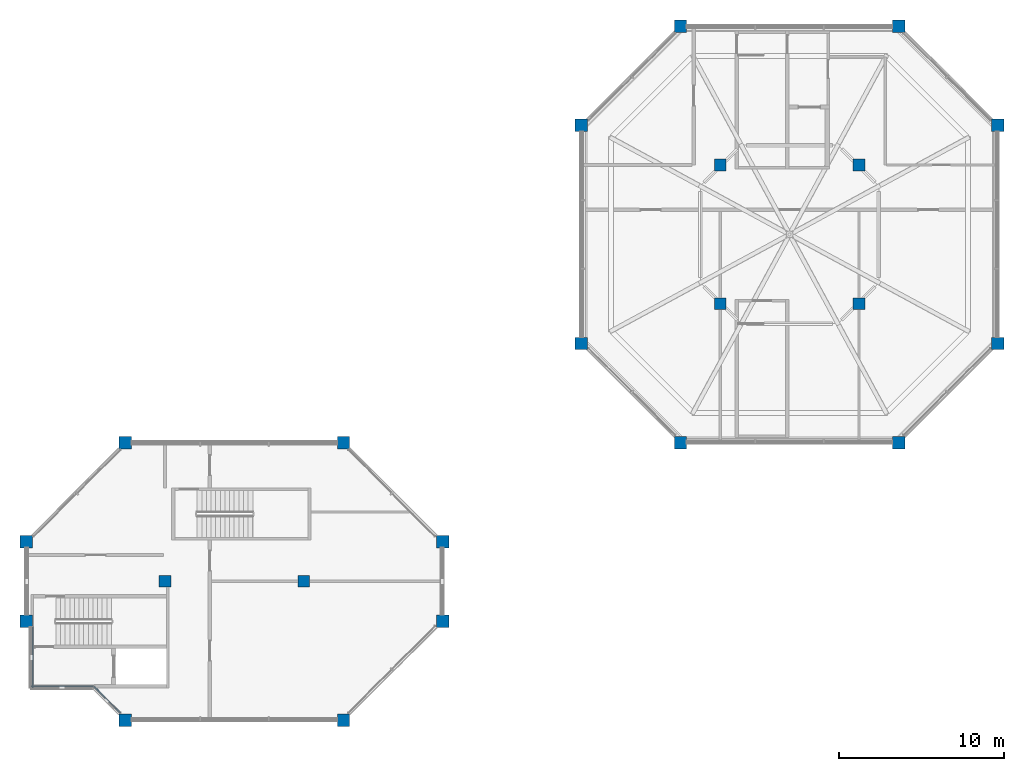
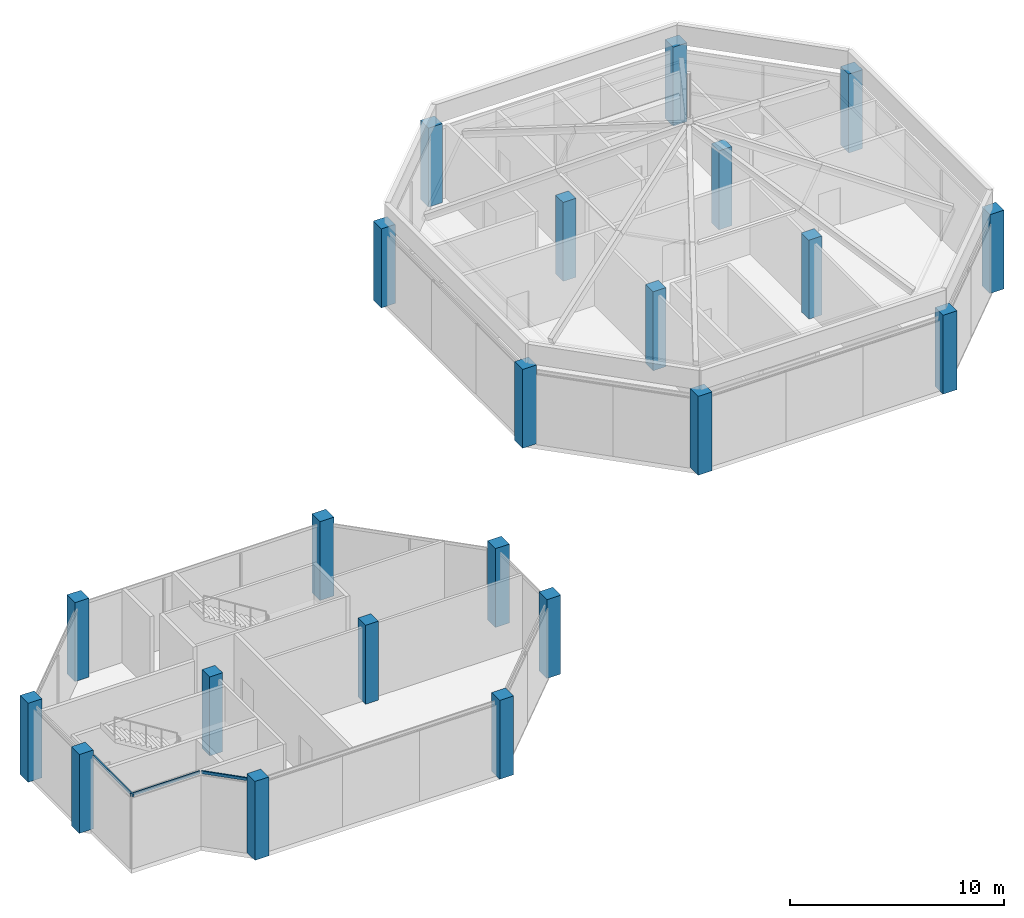
# One storey, part 1 of 9: 22 columns, 3 members, 3 elements without a shape of their own.
"""IFC4 building model written with IfcOpenShell, lengths in metres."""

from ifc_helpers import new_model, si_unit, direction, frame, origin, origin_2d, place, context, subcontext, project, spatial, rectangle, extrude, material, layer, layer_set, material_profile, profile_set, type_object, element, aggregate, save


model = new_model("IFC4")

# Units and contexts
model_context = context("Model", 3, precision=1e-05, world=origin(), true_north=direction((0.0, 1.0)))
body_context = subcontext(model_context, "Body", "Model", "MODEL_VIEW")
ifc_project = project(units=[si_unit("LENGTHUNIT", "METRE"), si_unit("AREAUNIT", "SQUARE_METRE"), si_unit("VOLUMEUNIT", "CUBIC_METRE"), si_unit("PLANEANGLEUNIT", "RADIAN"), si_unit("MASSUNIT", "GRAM", prefix="KILO")], contexts=[model_context])

# Site, building, storey
site_placement = place(None, origin())
site = spatial("IfcSite", under=ifc_project, at=site_placement, CompositionType="ELEMENT")
building_placement = place(site_placement, origin())
building = spatial("IfcBuilding", under=site, at=building_placement, Name="Kawkab Arch Medical Tower", CompositionType="ELEMENT")
storey_placement = place(building_placement, frame((0.0, 0.0, 350.199951171875)))
storey = spatial("IfcBuildingStorey", under=building, at=storey_placement, Name="L81", CompositionType="ELEMENT", Elevation=350.199951171875)

# Columns
ifc_material_1 = material(Name="Concrete C40/50", Category="concrete")
ifc_material_profile_1 = material_profile(ifc_material_1, rectangle(XDim=0.699951171875, YDim=0.699951171875, at=origin_2d()), Name="RC 700x700")
ifc_profile_set_1 = profile_set([ifc_material_profile_1], Name="Concrete C40/50")
column_type_1 = type_object("IfcColumnType", Name="RC 700x700 column C40/50", PredefinedType="COLUMN", material=ifc_profile_set_1)
for number, where, z_axis, x_axis, name in (
    (1, (42.0, -8.39990234375, 0.0), (0.0, 0.0, 1.0), (1.0, 0.0, 0.0), "Column RC 700x700"),
    (2, (50.39990234375, -8.39990234375, 0.0), (0.0, 0.0, 1.0), (1.0, 0.0, 0.0), "Column RC 700x700"),
    (3, (42.0, -16.800048828125, 0.0), (0.0, 0.0, 1.0), (1.0, 0.0, 0.0), "Column RC 700x700"),
    (4, (50.39990234375, -16.800048828125, 0.0), (0.0, 0.0, 1.0), (1.0, 0.0, 0.0), "Column RC 700x700"),
    (5, (8.39990234375, -33.60009765625, 0.0), (0.0, 0.0, 1.0), (1.0, 0.0, 0.0), "Column RC 700x700"),
    (6, (16.800048828125, -33.60009765625, 0.0), (0.0, 0.0, 1.0), (1.0, 0.0, 0.0), "Column RC 700x700"),
):
    element("IfcColumn", number, at=place(storey_placement, frame(where, z_axis=z_axis, x_axis=x_axis)), inside=storey, type_object=column_type_1, Name=name, PredefinedType="COLUMN", context=body_context, shape_type="SweptSolid", body=[
        extrude(rectangle(XDim=0.699951171875, YDim=0.699951171875, at=origin_2d()), origin(), (0.0, 0.0, 1.0), 4.5),
    ])
ifc_material_2 = material(Name="Concrete C40/50", Category="concrete")
ifc_material_profile_2 = material_profile(ifc_material_2, rectangle(XDim=0.75, YDim=0.75, at=origin_2d()), Name="RC 750x750")
ifc_profile_set_2 = profile_set([ifc_material_profile_2], Name="Concrete C40/50")
column_type_2 = type_object("IfcColumnType", Name="RC 750x750 column C40/50", PredefinedType="COLUMN", material=ifc_profile_set_2)
for number, where, z_axis, x_axis, name in (
    (7, (39.60009765625, 0.0, 0.0), (0.0, 0.0, 1.0), (1.0, 0.0, 0.0), "Column RC 750x750"),
    (8, (52.800048828125, 0.0, 0.0), (0.0, 0.0, 1.0), (1.0, 0.0, 0.0), "Column RC 750x750"),
    (9, (33.60009765625, -6.0, 0.0), (0.0, 0.0, 1.0), (1.0, 0.0, 0.0), "Column RC 750x750"),
    (10, (58.800048828125, -6.0, 0.0), (0.0, 0.0, 1.0), (1.0, 0.0, 0.0), "Column RC 750x750"),
    (11, (33.60009765625, -19.199951171875, 0.0), (0.0, 0.0, 1.0), (1.0, 0.0, 0.0), "Column RC 750x750"),
    (12, (58.800048828125, -19.199951171875, 0.0), (0.0, 0.0, 1.0), (1.0, 0.0, 0.0), "Column RC 750x750"),
    (13, (6.0, -25.199951171875, 0.0), (0.0, 0.0, 1.0), (1.0, 0.0, 0.0), "Column RC 750x750"),
    (14, (19.199951171875, -25.199951171875, 0.0), (0.0, 0.0, 1.0), (1.0, 0.0, 0.0), "Column RC 750x750"),
    (15, (39.60009765625, -25.199951171875, 0.0), (0.0, 0.0, 1.0), (1.0, 0.0, 0.0), "Column RC 750x750"),
    (16, (52.800048828125, -25.199951171875, 0.0), (0.0, 0.0, 1.0), (1.0, 0.0, 0.0), "Column RC 750x750"),
    (17, (0.0, -31.199951171875, 0.0), (0.0, 0.0, 1.0), (1.0, 0.0, 0.0), "Column RC 750x750"),
    (18, (25.199951171875, -31.199951171875, 0.0), (0.0, 0.0, 1.0), (1.0, 0.0, 0.0), "Column RC 750x750"),
    (19, (0.0, -36.0, 0.0), (0.0, 0.0, 1.0), (1.0, 0.0, 0.0), "Column RC 750x750"),
    (20, (25.199951171875, -36.0, 0.0), (0.0, 0.0, 1.0), (1.0, 0.0, 0.0), "Column RC 750x750"),
    (21, (6.0, -42.0, 0.0), (0.0, 0.0, 1.0), (1.0, 0.0, 0.0), "Column RC 750x750"),
    (22, (19.199951171875, -42.0, 0.0), (0.0, 0.0, 1.0), (1.0, 0.0, 0.0), "Column RC 750x750"),
):
    element("IfcColumn", number, at=place(storey_placement, frame(where, z_axis=z_axis, x_axis=x_axis)), inside=storey, type_object=column_type_2, Name=name, PredefinedType="COLUMN", context=body_context, shape_type="SweptSolid", body=[
        extrude(rectangle(XDim=0.75, YDim=0.75, at=origin_2d()), origin(), (0.0, 0.0, 1.0), 4.5),
    ])

# Curtain wall, member
ifc_material_3 = material(Name="Bronze anodised aluminium curtain wall frame", Category="aluminium")
ifc_layer = layer(ifc_material_3, 0.159912109375)
ifc_layer_set = layer_set([ifc_layer], Name="Bronze anodised aluminium curtain wall frame")
curtain_wall_type = type_object("IfcCurtainWallType", Name="CW6 helipad lobby and crown glazing", PredefinedType="NOTDEFINED", material=ifc_layer_set)
placement = place(storey_placement, origin())
curtain_wall_1 = element("IfcCurtainWall", 23, at=placement, inside=storey, type_object=curtain_wall_type, Name="CW6 Helipad lobby and crown glazing R14", PredefinedType="NOTDEFINED")
ifc_material_4 = material(Name="Bronze anodised aluminium curtain wall frame", Category="aluminium")
ifc_material_profile_3 = material_profile(ifc_material_4, rectangle(XDim=0.070068359375, YDim=0.159912109375, at=origin_2d()), Name="AL 70x160")
ifc_profile_set_3 = profile_set([ifc_material_profile_3], Name="Bronze anodised aluminium curtain wall frame")
member_type = type_object("IfcMemberType", Name="CW6 transom 160 x 70", PredefinedType="USERDEFINED", material=ifc_profile_set_3)
member_1_placement = place(storey_placement, frame((0.39990234375, -36.375, 4.1201171875), z_axis=(0.0, -1.0, 0.0), x_axis=(1.0, 0.0, 0.0)))
member_1 = element("IfcMember", 24, at=member_1_placement, type_object=member_type, Name="CW6 transom 1", ObjectType="TRANSOM", PredefinedType="USERDEFINED", context=body_context, shape_type="SweptSolid", body=[
    extrude(rectangle(XDim=0.070068359375, YDim=0.159912109375, at=origin_2d()), origin(), (0.0, 0.0, 1.0), 3.675048828125),
])
aggregate(curtain_wall_1, [member_1])

curtain_wall_2 = element("IfcCurtainWall", 25, at=placement, inside=storey, type_object=curtain_wall_type, Name="CW6 Helipad lobby and crown glazing R15", PredefinedType="NOTDEFINED")
member_2_placement = place(storey_placement, frame((0.300048828125, -39.949951171875, 4.1201171875), z_axis=(1.0, 0.0, 0.0), x_axis=(0.0, 1.0, 0.0)))
member_2 = element("IfcMember", 26, at=member_2_placement, type_object=member_type, Name="CW6 transom 1", ObjectType="TRANSOM", PredefinedType="USERDEFINED", context=body_context, shape_type="SweptSolid", body=[
    extrude(rectangle(XDim=0.070068359375, YDim=0.159912109375, at=origin_2d()), origin(), (0.0, 0.0, 1.0), 3.75),
])
aggregate(curtain_wall_2, [member_2])

curtain_wall_3 = element("IfcCurtainWall", 27, at=placement, inside=storey, type_object=curtain_wall_type, Name="CW6 Helipad lobby and crown glazing R16", PredefinedType="NOTDEFINED")
member_3_placement = place(storey_placement, frame((4.12060546875, -39.979248046875, 4.1201171875), z_axis=(0.707161580797, -0.707051977329, 0.0), x_axis=(0.707051977329, 0.707161580797, 0.0)))
member_3 = element("IfcMember", 28, at=member_3_placement, type_object=member_type, Name="CW6 transom 1", ObjectType="TRANSOM", PredefinedType="USERDEFINED", context=body_context, shape_type="SweptSolid", body=[
    extrude(rectangle(XDim=0.070068359375, YDim=0.159912109375, at=origin_2d()), origin(), (0.0, 0.0, 1.0), 2.2275390625),
])
aggregate(curtain_wall_3, [member_3])

save(model, "model.ifc")
